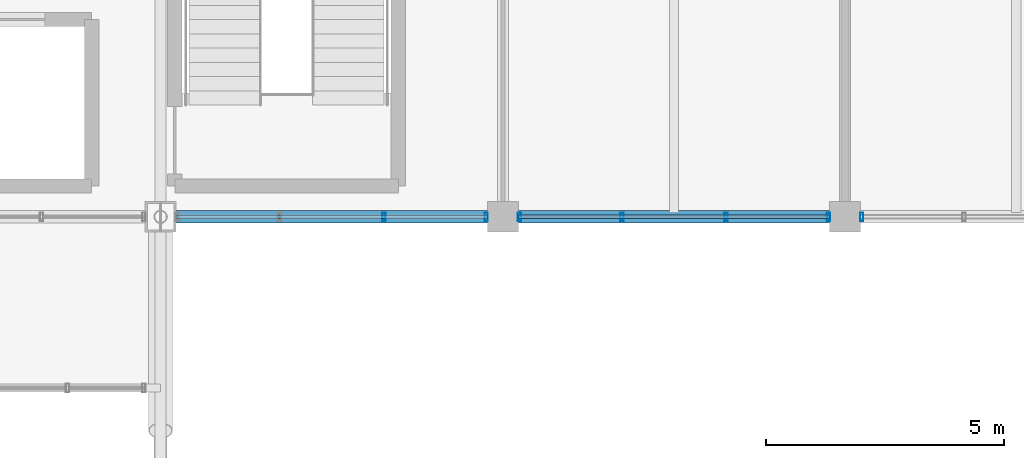
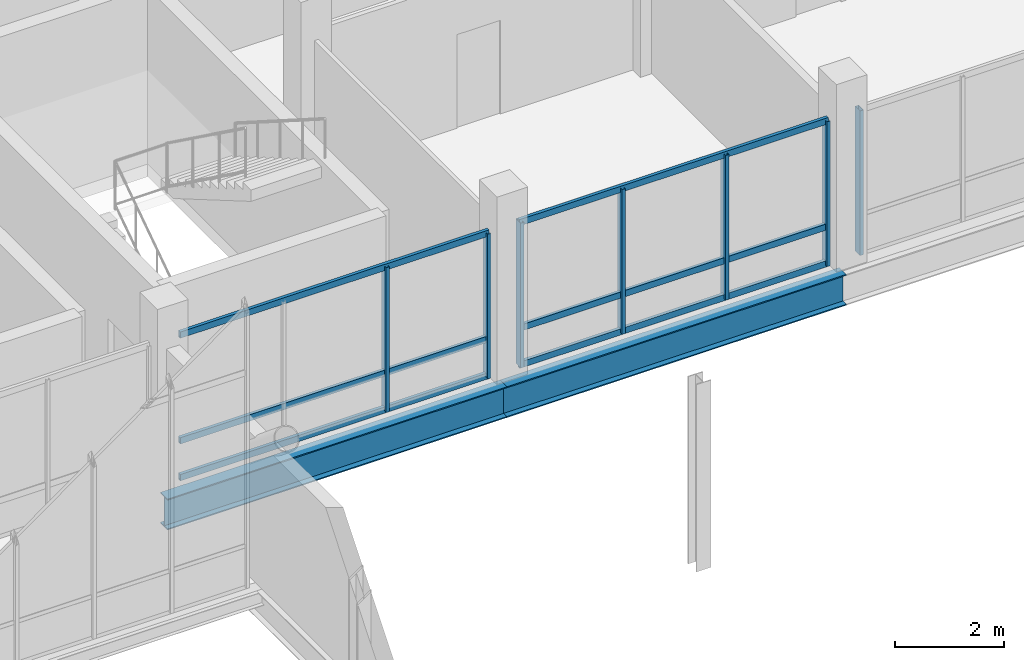
# One storey, part 57 of 102: 13 members, 2 beams, 3 elements without a shape of their own.
"""IFC4 building model written with IfcOpenShell, lengths in metres."""

from ifc_helpers import new_model, si_unit, direction, frame, origin, origin_2d, place, context, subcontext, project, spatial, hollow_rectangle, i_section, extrude, material, material_profile, profile_set, type_object, element, aggregate, save


model = new_model("IFC4")

# Units and contexts
model_context = context("Model", 3, precision=1e-05, world=origin(), true_north=direction((0.0, 1.0)))
body_context = subcontext(model_context, "Body", "Model", "MODEL_VIEW")
ifc_project = project(units=[si_unit("LENGTHUNIT", "METRE"), si_unit("AREAUNIT", "SQUARE_METRE"), si_unit("VOLUMEUNIT", "CUBIC_METRE"), si_unit("PLANEANGLEUNIT", "RADIAN"), si_unit("MASSUNIT", "GRAM", prefix="KILO")], contexts=[model_context])

# Site, building, storey
site_placement = place(None, origin())
site = spatial("IfcSite", under=ifc_project, at=site_placement, CompositionType="ELEMENT")
building_placement = place(site_placement, origin())
building = spatial("IfcBuilding", under=site, at=building_placement, Name="Yarey Park Central Fire Station", CompositionType="ELEMENT")
storey_placement = place(building_placement, frame((0.0, 0.0, 6.0)))
storey = spatial("IfcBuildingStorey", under=building, at=storey_placement, Name="L02", CompositionType="ELEMENT", Elevation=6.0)

# Curtain wall, members
ifc_material_1 = material(Name="Anodized Aluminium Frame", Category="aluminium")
curtain_wall_type = type_object("IfcCurtainWallType", Name="ENV_CW_HQ_L02", PredefinedType="NOTDEFINED", material=ifc_material_1)
curtain_wall_1_placement = place(storey_placement, origin())
curtain_wall_1 = element("IfcCurtainWall", 1, at=curtain_wall_1_placement, inside=storey, type_object=curtain_wall_type, Name="CW_L02_V4_S_4", PredefinedType="NOTDEFINED")
ifc_material_profile_1 = material_profile(ifc_material_1, hollow_rectangle(XDim=0.070068359375, YDim=0.179931640625, WallThickness=0.00390625, at=origin_2d()), Name="ALU 180x70x4")
ifc_profile_set_1 = profile_set([ifc_material_profile_1], Name="Anodized Aluminium Frame")
member_type_1 = type_object("IfcMemberType", Name="ENV_CW_MULLION", PredefinedType="MULLION", material=ifc_profile_set_1)
member_1_placement = place(storey_placement, frame((141.49658203125, 93.60009765625, 0.0), z_axis=(0.0, 0.0, 1.0), x_axis=(1.0, 0.0, 0.0)))
member_1 = element("IfcMember", 2, at=member_1_placement, type_object=member_type_1, Name="CW_L02_V4_S_4_MUL3", PredefinedType="MULLION", context=body_context, shape_type="SweptSolid", body=[
    extrude(hollow_rectangle(XDim=0.070068359375, YDim=0.179931640625, WallThickness=0.00390625, at=origin_2d()), origin(), (0.0, 0.0, 1.0), 3.2470703125),
])
member_2_placement = place(storey_placement, frame((143.64990234375, 93.60009765625, 0.0), z_axis=(0.0, 0.0, 1.0), x_axis=(1.0, 0.0, 0.0)))
member_2 = element("IfcMember", 3, at=member_2_placement, type_object=member_type_1, Name="CW_L02_V4_S_4_MUL4", PredefinedType="MULLION", context=body_context, shape_type="SweptSolid", body=[
    extrude(hollow_rectangle(XDim=0.070068359375, YDim=0.179931640625, WallThickness=0.00390625, at=origin_2d()), origin(), (0.0, 0.0, 1.0), 3.2470703125),
])

curtain_wall_2_placement = place(storey_placement, origin())
curtain_wall_2 = element("IfcCurtainWall", 4, at=curtain_wall_2_placement, inside=storey, type_object=curtain_wall_type, Name="CW_L02_V4_S_5", PredefinedType="NOTDEFINED")
member_3_placement = place(storey_placement, frame((144.35009765625, 93.60009765625, 0.0), z_axis=(0.0, 0.0, 1.0), x_axis=(1.0, 0.0, 0.0)))
member_3 = element("IfcMember", 5, at=member_3_placement, type_object=member_type_1, Name="CW_L02_V4_S_5_MUL1", PredefinedType="MULLION", context=body_context, shape_type="SweptSolid", body=[
    extrude(hollow_rectangle(XDim=0.070068359375, YDim=0.179931640625, WallThickness=0.00390625, at=origin_2d()), origin(), (0.0, 0.0, 1.0), 3.2470703125),
])
member_4_placement = place(storey_placement, frame((146.50341796875, 93.60009765625, 0.0), z_axis=(0.0, 0.0, 1.0), x_axis=(1.0, 0.0, 0.0)))
member_4 = element("IfcMember", 6, at=member_4_placement, type_object=member_type_1, Name="CW_L02_V4_S_5_MUL2", PredefinedType="MULLION", context=body_context, shape_type="SweptSolid", body=[
    extrude(hollow_rectangle(XDim=0.070068359375, YDim=0.179931640625, WallThickness=0.00390625, at=origin_2d()), origin(), (0.0, 0.0, 1.0), 3.2470703125),
])
member_5_placement = place(storey_placement, frame((148.69677734375, 93.60009765625, 0.0), z_axis=(0.0, 0.0, 1.0), x_axis=(1.0, 0.0, 0.0)))
member_5 = element("IfcMember", 7, at=member_5_placement, type_object=member_type_1, Name="CW_L02_V4_S_5_MUL3", PredefinedType="MULLION", context=body_context, shape_type="SweptSolid", body=[
    extrude(hollow_rectangle(XDim=0.070068359375, YDim=0.179931640625, WallThickness=0.00390625, at=origin_2d()), origin(), (0.0, 0.0, 1.0), 3.2470703125),
])
member_6_placement = place(storey_placement, frame((150.85009765625, 93.60009765625, 0.0), z_axis=(0.0, 0.0, 1.0), x_axis=(1.0, 0.0, 0.0)))
member_6 = element("IfcMember", 8, at=member_6_placement, type_object=member_type_1, Name="CW_L02_V4_S_5_MUL4", PredefinedType="MULLION", context=body_context, shape_type="SweptSolid", body=[
    extrude(hollow_rectangle(XDim=0.070068359375, YDim=0.179931640625, WallThickness=0.00390625, at=origin_2d()), origin(), (0.0, 0.0, 1.0), 3.2470703125),
])

# Curtain wall, member
curtain_wall_3_placement = place(storey_placement, origin())
curtain_wall_3 = element("IfcCurtainWall", 9, at=curtain_wall_3_placement, inside=storey, type_object=curtain_wall_type, Name="CW_L02_V4_S_6", PredefinedType="NOTDEFINED")
member_7_placement = place(storey_placement, frame((151.550048828125, 93.60009765625, 0.0), z_axis=(0.0, 0.0, 1.0), x_axis=(1.0, 0.0, 0.0)))
member_7 = element("IfcMember", 10, at=member_7_placement, type_object=member_type_1, Name="CW_L02_V4_S_6_MUL1", PredefinedType="MULLION", context=body_context, shape_type="SweptSolid", body=[
    extrude(hollow_rectangle(XDim=0.070068359375, YDim=0.179931640625, WallThickness=0.00390625, at=origin_2d()), origin(), (0.0, 0.0, 1.0), 3.2470703125),
])
aggregate(curtain_wall_3, [member_7])

# Member
ifc_material_profile_2 = material_profile(ifc_material_1, hollow_rectangle(XDim=0.070068359375, YDim=0.139892578125, WallThickness=0.00390625, at=origin_2d()), Name="ALU 140x70x4")
ifc_profile_set_2 = profile_set([ifc_material_profile_2], Name="Anodized Aluminium Frame")
member_type_2 = type_object("IfcMemberType", Name="ENV_CW_TRANSOM", PredefinedType="USERDEFINED", material=ifc_profile_set_2)
member_8_placement = place(storey_placement, frame((137.125, 93.60009765625, 0.02490234375), z_axis=(1.0, 0.0, 0.0), x_axis=(0.0, 1.0, 0.0)))
member_8 = element("IfcMember", 11, at=member_8_placement, type_object=member_type_2, Name="CW_L02_V4_S_4_TRN1", ObjectType="TRANSOM", PredefinedType="USERDEFINED", context=body_context, shape_type="SweptSolid", body=[
    extrude(hollow_rectangle(XDim=0.070068359375, YDim=0.139892578125, WallThickness=0.00390625, at=origin_2d()), origin(), (0.0, 0.0, 1.0), 6.550048828125),
])

member_9_placement = place(storey_placement, frame((137.125, 93.60009765625, 0.85009765625), z_axis=(1.0, 0.0, 0.0), x_axis=(0.0, 1.0, 0.0)))
member_9 = element("IfcMember", 12, at=member_9_placement, type_object=member_type_2, Name="CW_L02_V4_S_4_TRN2", ObjectType="TRANSOM", PredefinedType="USERDEFINED", context=body_context, shape_type="SweptSolid", body=[
    extrude(hollow_rectangle(XDim=0.070068359375, YDim=0.139892578125, WallThickness=0.00390625, at=origin_2d()), origin(), (0.0, 0.0, 1.0), 6.550048828125),
])

member_10_placement = place(storey_placement, frame((137.125, 93.60009765625, 3.221923828125), z_axis=(1.0, 0.0, 0.0), x_axis=(0.0, 1.0, 0.0)))
member_10 = element("IfcMember", 13, at=member_10_placement, type_object=member_type_2, Name="CW_L02_V4_S_4_TRN3", ObjectType="TRANSOM", PredefinedType="USERDEFINED", context=body_context, shape_type="SweptSolid", body=[
    extrude(hollow_rectangle(XDim=0.070068359375, YDim=0.139892578125, WallThickness=0.00390625, at=origin_2d()), origin(), (0.0, 0.0, 1.0), 6.550048828125),
])

aggregate(curtain_wall_1, [member_1, member_2, member_8, member_9, member_10])

member_11_placement = place(storey_placement, frame((144.324951171875, 93.60009765625, 0.02490234375), z_axis=(1.0, 0.0, 0.0), x_axis=(0.0, 1.0, 0.0)))
member_11 = element("IfcMember", 14, at=member_11_placement, type_object=member_type_2, Name="CW_L02_V4_S_5_TRN1", ObjectType="TRANSOM", PredefinedType="USERDEFINED", context=body_context, shape_type="SweptSolid", body=[
    extrude(hollow_rectangle(XDim=0.070068359375, YDim=0.139892578125, WallThickness=0.00390625, at=origin_2d()), origin(), (0.0, 0.0, 1.0), 6.550048828125),
])

member_12_placement = place(storey_placement, frame((144.324951171875, 93.60009765625, 0.85009765625), z_axis=(1.0, 0.0, 0.0), x_axis=(0.0, 1.0, 0.0)))
member_12 = element("IfcMember", 15, at=member_12_placement, type_object=member_type_2, Name="CW_L02_V4_S_5_TRN2", ObjectType="TRANSOM", PredefinedType="USERDEFINED", context=body_context, shape_type="SweptSolid", body=[
    extrude(hollow_rectangle(XDim=0.070068359375, YDim=0.139892578125, WallThickness=0.00390625, at=origin_2d()), origin(), (0.0, 0.0, 1.0), 6.550048828125),
])

member_13_placement = place(storey_placement, frame((144.324951171875, 93.60009765625, 3.221923828125), z_axis=(1.0, 0.0, 0.0), x_axis=(0.0, 1.0, 0.0)))
member_13 = element("IfcMember", 16, at=member_13_placement, type_object=member_type_2, Name="CW_L02_V4_S_5_TRN3", ObjectType="TRANSOM", PredefinedType="USERDEFINED", context=body_context, shape_type="SweptSolid", body=[
    extrude(hollow_rectangle(XDim=0.070068359375, YDim=0.139892578125, WallThickness=0.00390625, at=origin_2d()), origin(), (0.0, 0.0, 1.0), 6.550048828125),
])

aggregate(curtain_wall_2, [member_3, member_4, member_5, member_6, member_11, member_12, member_13])

# Beams
ifc_material_2 = material(Name="Steel ASTM A992 Gr. 50", Category="steel")
ifc_material_profile_3 = material_profile(ifc_material_2, i_section(OverallWidth=0.256103515625, OverallDepth=0.693115234375, WebThickness=0.014404296875, FlangeThickness=0.023681640625, at=origin_2d()), Name="W690x170")
ifc_profile_set_3 = profile_set([ifc_material_profile_3], Name="Steel ASTM A992 Gr. 50")
beam_type = type_object("IfcBeamType", Name="STR_BM_W690", PredefinedType="BEAM", material=ifc_profile_set_3)
for number, where, z_axis, x_axis, name in (
    (17, (136.800048828125, 93.60009765625, -0.631591796875), (1.0, 0.0, 0.0), (0.0, 1.0, 0.0), "BMX L02 Y936 X1368"),
    (18, (144.0, 93.60009765625, -0.631591796875), (1.0, 0.0, 0.0), (0.0, 1.0, 0.0), "BMX L02 Y936 X1440"),
):
    element("IfcBeam", number, at=place(storey_placement, frame(where, z_axis=z_axis, x_axis=x_axis)), inside=storey, type_object=beam_type, Name=name, PredefinedType="BEAM", context=body_context, shape_type="SweptSolid", body=[
        extrude(i_section(OverallWidth=0.256103515625, OverallDepth=0.693115234375, WebThickness=0.014404296875, FlangeThickness=0.023681640625, at=origin_2d()), origin(), (0.0, 0.0, 1.0), 7.199951171875),
    ])

save(model, "model.ifc")
